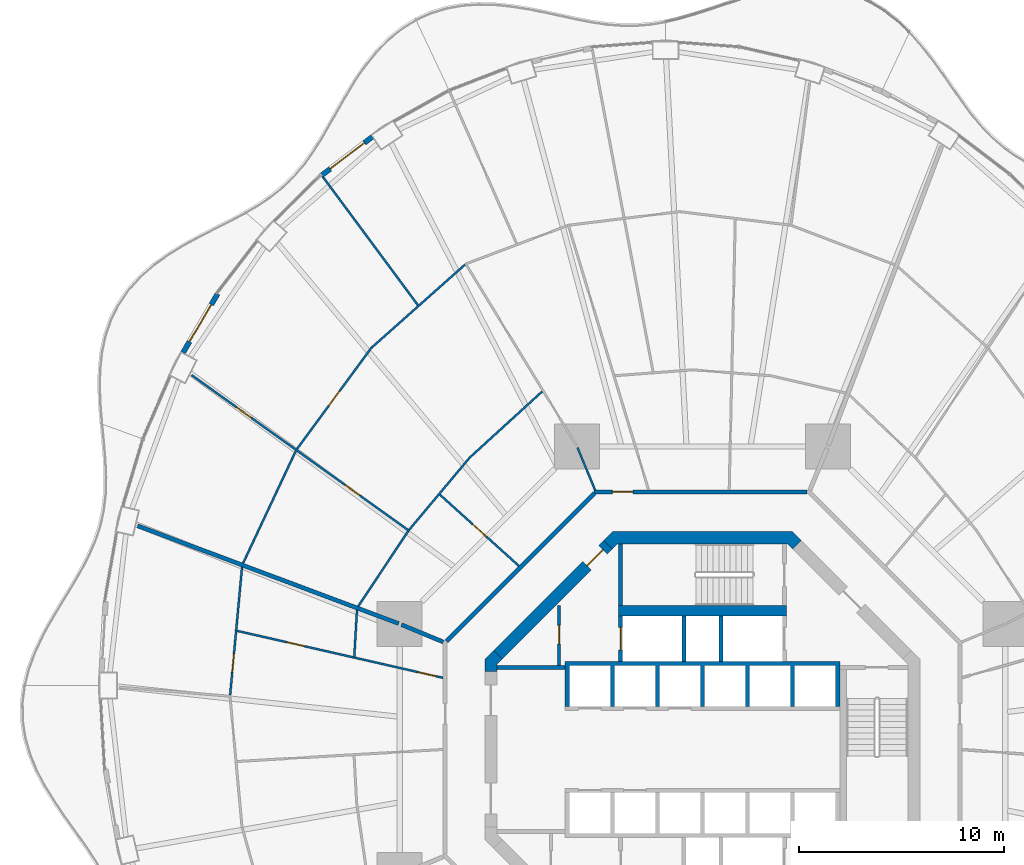
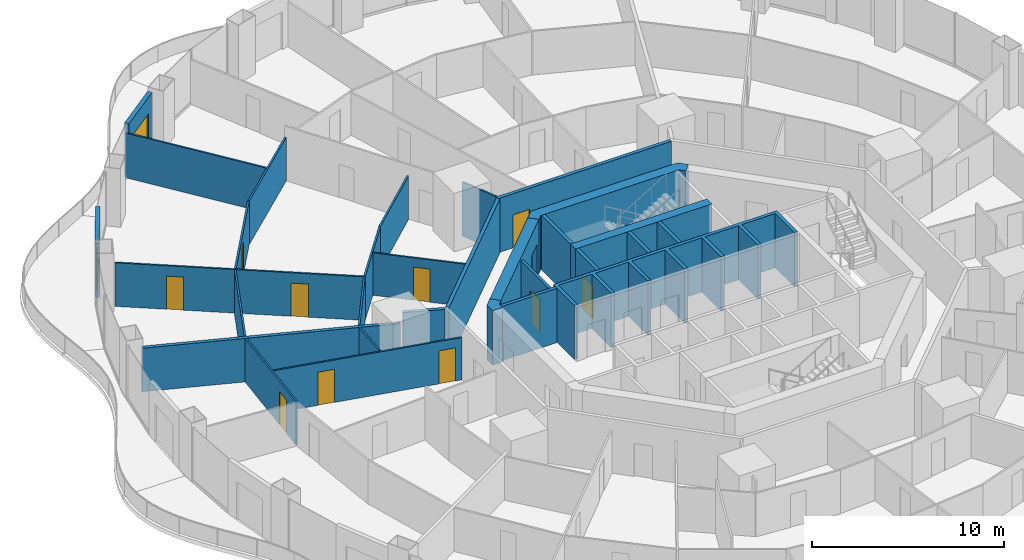
# One storey, part 17 of 22: 30 walls, 13 doors, 13 openings.
"""IFC4 building model written with IfcOpenShell, lengths in metres."""

from ifc_helpers import new_model, si_unit, direction, frame, frame_2d, origin, place, context, subcontext, project, spatial, polyline, rectangle, outline, extrude, material, layer, layer_set, type_object, element, fill, save


model = new_model("IFC4")

# Units and contexts
model_context = context("Model", 3, precision=1e-05, world=origin(), true_north=direction((0.0, 1.0)))
body_context = subcontext(model_context, "Body", "Model", "MODEL_VIEW")
ifc_project = project(units=[si_unit("LENGTHUNIT", "METRE"), si_unit("AREAUNIT", "SQUARE_METRE"), si_unit("VOLUMEUNIT", "CUBIC_METRE"), si_unit("PLANEANGLEUNIT", "RADIAN"), si_unit("MASSUNIT", "GRAM", prefix="KILO")], contexts=[model_context])

# Site, building, storey
site_placement = place(None, origin())
site = spatial("IfcSite", under=ifc_project, at=site_placement, CompositionType="ELEMENT")
building_placement = place(site_placement, origin())
building = spatial("IfcBuilding", under=site, at=building_placement, Name="Nagisa Residences", CompositionType="ELEMENT")
storey_placement = place(building_placement, frame((0.0, 0.0, 91.800048828125)))
storey = spatial("IfcBuildingStorey", under=building, at=storey_placement, Name="L22", CompositionType="ELEMENT", Elevation=91.800048828125)

# Walls
ifc_material_1 = material(Name="Gypsum board on steel studs", Category="steel")
ifc_layer_1 = layer(ifc_material_1, 0.199951171875)
ifc_layer_set_1 = layer_set([ifc_layer_1], Name="Apartment compartment wall EI60 200")
wall_type_1 = type_object("IfcWallType", Name="Apartment compartment wall EI60 200", PredefinedType="PARTITIONING", material=ifc_layer_set_1)
wall_1_placement = place(storey_placement, frame((-12.6572265625, 5.24267578125, 0.0), z_axis=(0.0, 0.0, 1.0), x_axis=(-0.923843626288, 0.382770106157, 0.0)))
element("IfcWall", 1, at=wall_1_placement, inside=storey, type_object=wall_type_1, Name="wall:L22:u02", PredefinedType="PARTITIONING", context=body_context, shape_type="SweptSolid", body=[
    extrude(rectangle(XDim=2.19921875, YDim=0.199951171875, at=frame_2d((1.099609375, 0.0))), origin(), (0.0, 0.0, 1.0), 3.43994140625),
])
wall_2_placement = place(storey_placement, frame((-14.828857421875, 6.140380859375, 0.0), z_axis=(0.0, 0.0, 1.0), x_axis=(-0.936597324342, 0.35040755134, 0.0)))
element("IfcWall", 2, at=wall_2_placement, inside=storey, type_object=wall_type_1, Name="wall:L22:u03", PredefinedType="PARTITIONING", context=body_context, shape_type="SweptSolid", body=[
    extrude(rectangle(XDim=13.605712890625, YDim=0.199951171875, at=frame_2d((6.802734375, 0.0))), origin(), (0.0, 0.0, 1.0), 2.761962890625),
])

# Wall, opening, door
ifc_material_2 = material(Name="Gypsum board on steel studs", Category="steel")
ifc_layer_2 = layer(ifc_material_2, 0.199951171875)
ifc_layer_set_2 = layer_set([ifc_layer_2], Name="Apartment entry wall EI60 200")
wall_type_2 = type_object("IfcWallType", Name="Apartment entry wall EI60 200", PredefinedType="PARTITIONING", material=ifc_layer_set_2)
wall_3_placement = place(storey_placement, frame((5.1044921875, 12.564697265625, 0.0), z_axis=(0.0, 0.0, 1.0), x_axis=(-1.0, 0.0, 0.0)))
wall_3 = element("IfcWall", 3, at=wall_3_placement, inside=storey, type_object=wall_type_2, Name="wall:L22:u12", PredefinedType="PARTITIONING", context=body_context, shape_type="SweptSolid", body=[
    extrude(rectangle(XDim=10.408935546875, YDim=0.199951171875, at=frame_2d((5.20458984375, 0.0))), origin(), (0.0, 0.0, 1.0), 3.43994140625),
])
opening_1_placement = place(wall_3_placement, frame((8.5078125, 0.0, 0.0)))
opening_1 = element("IfcOpeningElement", 4, at=opening_1_placement, cuts=wall_3, Name="Opening L22-U01", PredefinedType="OPENING", context=body_context, shape_type="SweptSolid", body=[
    extrude(rectangle(XDim=1.0, YDim=2.10009765625, at=frame_2d((0.5, 1.050048828125))), frame((0.0, 0.10986328125, 0.0), z_axis=(0.0, -1.0, 0.0), x_axis=(1.0, 0.0, 0.0)), (0.0, 0.0, 1.0), 0.219970703125),
])
ifc_material_3 = material(Name="Timber fire door set", Category="wood")
door_type_1 = type_object("IfcDoorType", Name="Apartment entry door FD30S 1000x2100", OperationType="NOTDEFINED", PredefinedType="DOOR", material=ifc_material_3)
door_1_placement = place(opening_1_placement, frame((1.0, 0.0, 0.0), x_axis=(-1.0, 0.0, 0.0)))
door_1 = element("IfcDoor", 5, at=door_1_placement, inside=storey, type_object=door_type_1, Name="Entry door, Apartment 22A", OperationType="SINGLE_SWING_RIGHT", OverallHeight=2.10009765625, OverallWidth=1.0, PredefinedType="DOOR", context=body_context, shape_type="SweptSolid", body=[
    extrude(rectangle(XDim=1.0, YDim=2.10009765625, at=frame_2d((0.5, 1.050048828125))), frame((0.0, 0.02490234375, 0.0), z_axis=(0.0, -1.0, 0.0), x_axis=(1.0, 0.0, 0.0)), (0.0, 0.0, 1.0), 0.050048828125),
])
fill(opening_1, door_1)

# Walls
wall_4_placement = place(storey_placement, frame((-5.275146484375, 12.494140625, 0.0), z_axis=(0.0, 0.0, 1.0), x_axis=(-0.707106781187, -0.707106781187, 0.0)))
element("IfcWall", 6, at=wall_4_placement, inside=storey, type_object=wall_type_2, Name="wall:L22:u13", PredefinedType="PARTITIONING", context=body_context, shape_type="SweptSolid", body=[
    extrude(rectangle(XDim=10.209228515625, YDim=0.199951171875, at=frame_2d((5.1044921875, 0.0))), origin(), (0.0, 0.0, 1.0), 3.43994140625),
])
ifc_material_4 = material(Name="Gypsum board on steel studs", Category="steel")
ifc_layer_3 = layer(ifc_material_4, 0.10009765625)
ifc_layer_set_3 = layer_set([ifc_layer_3], Name="Apartment partition 100")
wall_type_3 = type_object("IfcWallType", Name="Apartment partition 100", PredefinedType="PARTITIONING", material=ifc_layer_set_3)
wall_5_placement = place(storey_placement, frame((-5.24267578125, 12.6572265625, 0.0), z_axis=(0.0, 0.0, 1.0), x_axis=(-0.382703272338, 0.923871314276, 0.0)))
element("IfcWall", 7, at=wall_5_placement, inside=storey, type_object=wall_type_3, Name="wall:L22:u45", PredefinedType="PARTITIONING", context=body_context, shape_type="SweptSolid", body=[
    extrude(rectangle(XDim=2.249267578125, YDim=0.10009765625, at=frame_2d((1.12451171875, 0.0))), origin(), (0.0, 0.0, 1.0), 3.43994140625),
])
wall_6_placement = place(storey_placement, frame((-7.81982421875, 17.471923828125, 0.0), z_axis=(0.0, 0.0, 1.0), x_axis=(-0.73885182489, -0.67386792538, 0.0)))
element("IfcWall", 8, at=wall_6_placement, inside=storey, type_object=wall_type_3, Name="wall:L22:u47", PredefinedType="PARTITIONING", context=body_context, shape_type="SweptSolid", body=[
    extrude(rectangle(XDim=4.846435546875, YDim=0.10009765625, at=frame_2d((2.42333984375, 0.0))), origin(), (0.0, 0.0, 1.0), 2.761962890625),
])
wall_7_placement = place(storey_placement, frame((-11.5908203125, 23.65966796875, 0.0), z_axis=(0.0, 0.0, 1.0), x_axis=(-0.747429278403, -0.664341383466, 0.0)))
element("IfcWall", 9, at=wall_7_placement, inside=storey, type_object=wall_type_3, Name="wall:L22:u48", PredefinedType="PARTITIONING", context=body_context, shape_type="SweptSolid", body=[
    extrude(rectangle(XDim=6.073486328125, YDim=0.10009765625, at=frame_2d((3.03662109375, 0.0))), origin(), (0.0, 0.0, 1.0), 2.761962890625),
])
wall_8_placement = place(storey_placement, frame((-13.890380859375, 21.682373046875, 0.0), z_axis=(0.0, 0.0, 1.0), x_axis=(-0.595256113594, 0.803536034804, 0.0)))
element("IfcWall", 10, at=wall_8_placement, inside=storey, type_object=wall_type_3, Name="wall:L22:u49", PredefinedType="PARTITIONING", context=body_context, shape_type="SweptSolid", body=[
    extrude(rectangle(XDim=7.971923828125, YDim=0.10009765625, at=frame_2d((3.98583984375, 0.0))), origin(), (0.0, 0.0, 1.0), 2.8369140625),
])
wall_9_placement = place(storey_placement, frame((-11.39599609375, 14.20166015625, 0.0), z_axis=(0.0, 0.0, 1.0), x_axis=(-0.642483859922, -0.766299216847, 0.0)))
element("IfcWall", 11, at=wall_9_placement, inside=storey, type_object=wall_type_3, Name="wall:L22:u50", PredefinedType="PARTITIONING", context=body_context, shape_type="SweptSolid", body=[
    extrude(rectangle(XDim=4.537109375, YDim=0.10009765625, at=frame_2d((2.2685546875, 0.0))), origin(), (0.0, 0.0, 1.0), 2.761962890625),
])

# Wall, opening, door
wall_10_placement = place(storey_placement, frame((-16.137939453125, 19.6318359375, 0.0), z_axis=(0.0, 0.0, 1.0), x_axis=(-0.592401008469, -0.805643249314, 0.0)))
wall_10 = element("IfcWall", 12, at=wall_10_placement, inside=storey, type_object=wall_type_3, Name="wall:L22:u51", PredefinedType="PARTITIONING", context=body_context, shape_type="SweptSolid", body=[
    extrude(rectangle(XDim=6.18017578125, YDim=0.10009765625, at=frame_2d((3.090087890625, 0.0))), origin(), (0.0, 0.0, 1.0), 2.761962890625),
])
opening_2_placement = place(wall_10_placement, frame((2.6650390625, 0.0, 0.0)))
opening_2 = element("IfcOpeningElement", 13, at=opening_2_placement, cuts=wall_10, Name="Opening L22-U12", PredefinedType="OPENING", context=body_context, shape_type="SweptSolid", body=[
    extrude(rectangle(XDim=0.89990234375, YDim=2.10009765625, at=frame_2d((0.449951171875, 1.050048828125))), frame((0.0, 0.06005859375, 0.0), z_axis=(0.0, -1.0, 0.0), x_axis=(1.0, 0.0, 0.0)), (0.0, 0.0, 1.0), 0.1201171875),
])
ifc_material_5 = material(Name="Timber door set", Category="wood")
door_type_2 = type_object("IfcDoorType", Name="Apartment door 900x2100", OperationType="NOTDEFINED", PredefinedType="DOOR", material=ifc_material_5)
door_2_placement = place(opening_2_placement, frame((0.89990234375, 0.0, 0.0), x_axis=(-1.0, 0.0, 0.0)))
door_2 = element("IfcDoor", 14, at=door_2_placement, inside=storey, type_object=door_type_2, Name="Door to living room, Apartment 22A", OperationType="SINGLE_SWING_LEFT", OverallHeight=2.10009765625, OverallWidth=0.89990234375, PredefinedType="DOOR", context=body_context, shape_type="SweptSolid", body=[
    extrude(rectangle(XDim=0.89990234375, YDim=2.10009765625, at=frame_2d((0.449951171875, 1.050048828125))), frame((0.0, 0.02490234375, 0.0), z_axis=(0.0, -1.0, 0.0), x_axis=(1.0, 0.0, 0.0)), (0.0, 0.0, 1.0), 0.050048828125),
])
fill(opening_2, door_2)

wall_11_placement = place(storey_placement, frame((-8.958984375, 8.95166015625, 0.0), z_axis=(0.0, 0.0, 1.0), x_axis=(-0.742686144764, 0.669639672045, 0.0)))
wall_11 = element("IfcWall", 15, at=wall_11_placement, inside=storey, type_object=wall_type_3, Name="wall:L22:u52", PredefinedType="PARTITIONING", context=body_context, shape_type="SweptSolid", body=[
    extrude(rectangle(XDim=5.19384765625, YDim=0.10009765625, at=frame_2d((2.596923828125, 0.0))), origin(), (0.0, 0.0, 1.0), 2.68701171875),
])
opening_3_placement = place(wall_11_placement, frame((2.14697265625, 0.0, 0.0)))
opening_3 = element("IfcOpeningElement", 16, at=opening_3_placement, cuts=wall_11, Name="Opening L22-U04", PredefinedType="OPENING", context=body_context, shape_type="SweptSolid", body=[
    extrude(rectangle(XDim=0.89990234375, YDim=2.10009765625, at=frame_2d((0.449951171875, 1.050048828125))), frame((0.0, 0.06005859375, 0.0), z_axis=(0.0, -1.0, 0.0), x_axis=(1.0, 0.0, 0.0)), (0.0, 0.0, 1.0), 0.1201171875),
])
door_3_placement = place(opening_3_placement, origin())
door_3 = element("IfcDoor", 17, at=door_3_placement, inside=storey, type_object=door_type_2, Name="Door to laundry, Apartment 22A", OperationType="SINGLE_SWING_RIGHT", OverallHeight=2.10009765625, OverallWidth=0.89990234375, PredefinedType="DOOR", context=body_context, shape_type="SweptSolid", body=[
    extrude(rectangle(XDim=0.89990234375, YDim=2.10009765625, at=frame_2d((0.449951171875, 1.050048828125))), frame((0.0, 0.02490234375, 0.0), z_axis=(0.0, -1.0, 0.0), x_axis=(1.0, 0.0, 0.0)), (0.0, 0.0, 1.0), 0.050048828125),
])
fill(opening_3, door_3)

# Wall, openings, doors
wall_12_placement = place(storey_placement, frame((-14.302490234375, 10.657470703125, 0.0), z_axis=(0.0, 0.0, 1.0), x_axis=(-0.813183002698, 0.582008079087, 0.0)))
wall_12 = element("IfcWall", 18, at=wall_12_placement, inside=storey, type_object=wall_type_3, Name="wall:L22:u53", PredefinedType="PARTITIONING", context=body_context, shape_type="SweptSolid", body=[
    extrude(rectangle(XDim=13.074462890625, YDim=0.10009765625, at=frame_2d((6.537109375, 0.0))), origin(), (0.0, 0.0, 1.0), 2.761962890625),
])
opening_4_placement = place(wall_12_placement, frame((2.972900390625, 0.0, 0.0)))
opening_4 = element("IfcOpeningElement", 19, at=opening_4_placement, cuts=wall_12, Name="Opening L22-U08", PredefinedType="OPENING", context=body_context, shape_type="SweptSolid", body=[
    extrude(rectangle(XDim=0.89990234375, YDim=2.10009765625, at=frame_2d((0.449951171875, 1.050048828125))), frame((0.0, 0.06005859375, 0.0), z_axis=(0.0, -1.0, 0.0), x_axis=(1.0, 0.0, 0.0)), (0.0, 0.0, 1.0), 0.1201171875),
])
opening_5_placement = place(wall_12_placement, frame((9.485107421875, 0.0, 0.0)))
opening_5 = element("IfcOpeningElement", 20, at=opening_5_placement, cuts=wall_12, Name="Opening L22-U13", PredefinedType="OPENING", context=body_context, shape_type="SweptSolid", body=[
    extrude(rectangle(XDim=0.89990234375, YDim=2.10009765625, at=frame_2d((0.449951171875, 1.050048828125))), frame((0.0, 0.06005859375, 0.0), z_axis=(0.0, -1.0, 0.0), x_axis=(1.0, 0.0, 0.0)), (0.0, 0.0, 1.0), 0.1201171875),
])
door_4_placement = place(opening_4_placement, origin())
door_4 = element("IfcDoor", 21, at=door_4_placement, inside=storey, type_object=door_type_2, Name="Door to study, Apartment 22A", OperationType="SINGLE_SWING_RIGHT", OverallHeight=2.10009765625, OverallWidth=0.89990234375, PredefinedType="DOOR", context=body_context, shape_type="SweptSolid", body=[
    extrude(rectangle(XDim=0.89990234375, YDim=2.10009765625, at=frame_2d((0.449951171875, 1.050048828125))), frame((0.0, 0.02490234375, 0.0), z_axis=(0.0, -1.0, 0.0), x_axis=(1.0, 0.0, 0.0)), (0.0, 0.0, 1.0), 0.050048828125),
])
fill(opening_4, door_4)
door_5_placement = place(opening_5_placement, origin())
door_5 = element("IfcDoor", 22, at=door_5_placement, inside=storey, type_object=door_type_2, Name="Door to master bedroom, Apartment 22A", OperationType="SINGLE_SWING_LEFT", OverallHeight=2.10009765625, OverallWidth=0.89990234375, PredefinedType="DOOR", context=body_context, shape_type="SweptSolid", body=[
    extrude(rectangle(XDim=0.89990234375, YDim=2.10009765625, at=frame_2d((0.449951171875, 1.050048828125))), frame((0.0, 0.02490234375, 0.0), z_axis=(0.0, -1.0, 0.0), x_axis=(1.0, 0.0, 0.0)), (0.0, 0.0, 1.0), 0.050048828125),
])
fill(opening_5, door_5)

# Walls
wall_13_placement = place(storey_placement, frame((-14.370849609375, 10.64501953125, 0.0), z_axis=(0.0, 0.0, 1.0), x_axis=(-0.553341009285, -0.832954817168, 0.0)))
element("IfcWall", 23, at=wall_13_placement, inside=storey, type_object=wall_type_3, Name="wall:L22:u54", PredefinedType="PARTITIONING", context=body_context, shape_type="SweptSolid", body=[
    extrude(rectangle(XDim=4.396240234375, YDim=0.10009765625, at=frame_2d((2.1982421875, 0.0))), origin(), (0.0, 0.0, 1.0), 2.761962890625),
])
wall_14_placement = place(storey_placement, frame((-19.85009765625, 14.5673828125, 0.0), z_axis=(0.0, 0.0, 1.0), x_axis=(-0.424942210745, -0.905220480064, 0.0)))
element("IfcWall", 24, at=wall_14_placement, inside=storey, type_object=wall_type_3, Name="wall:L22:u55", PredefinedType="PARTITIONING", context=body_context, shape_type="SweptSolid", body=[
    extrude(rectangle(XDim=6.05322265625, YDim=0.10009765625, at=frame_2d((3.026611328125, 0.0))), origin(), (0.0, 0.0, 1.0), 2.761962890625),
])
wall_15_placement = place(storey_placement, frame((-16.864501953125, 6.800048828125, 0.0), z_axis=(0.0, 0.0, 1.0), x_axis=(-0.057751176984, -0.998331008011, 0.0)))
element("IfcWall", 25, at=wall_15_placement, inside=storey, type_object=wall_type_3, Name="wall:L22:u56", PredefinedType="PARTITIONING", context=body_context, shape_type="SweptSolid", body=[
    extrude(rectangle(XDim=2.2998046875, YDim=0.10009765625, at=frame_2d((1.14990234375, 0.0))), origin(), (0.0, 0.0, 1.0), 2.761962890625),
])

# Wall, opening, door
wall_16_placement = place(storey_placement, frame((-22.47412109375, 8.897705078125, 0.0), z_axis=(0.0, 0.0, 1.0), x_axis=(-0.092756864489, -0.995688788774, 0.0)))
wall_16 = element("IfcWall", 26, at=wall_16_placement, inside=storey, type_object=wall_type_3, Name="wall:L22:u57", PredefinedType="PARTITIONING", context=body_context, shape_type="SweptSolid", body=[
    extrude(rectangle(XDim=6.28271484375, YDim=0.10009765625, at=frame_2d((3.141357421875, 0.0))), origin(), (0.0, 0.0, 1.0), 2.761962890625),
])
opening_6_placement = place(wall_16_placement, frame((4.24951171875, 0.0, 0.0)))
opening_6 = element("IfcOpeningElement", 27, at=opening_6_placement, cuts=wall_16, Name="Opening L22-U22", PredefinedType="OPENING", context=body_context, shape_type="SweptSolid", body=[
    extrude(rectangle(XDim=0.89990234375, YDim=2.10009765625, at=frame_2d((0.449951171875, 1.050048828125))), frame((0.0, 0.06005859375, 0.0), z_axis=(0.0, -1.0, 0.0), x_axis=(1.0, 0.0, 0.0)), (0.0, 0.0, 1.0), 0.1201171875),
])
door_6_placement = place(opening_6_placement, frame((0.89990234375, 0.0, 0.0), x_axis=(-1.0, 0.0, 0.0)))
door_6 = element("IfcDoor", 28, at=door_6_placement, inside=storey, type_object=door_type_2, Name="Door to master bedroom, Apartment 22B", OperationType="SINGLE_SWING_LEFT", OverallHeight=2.10009765625, OverallWidth=0.89990234375, PredefinedType="DOOR", context=body_context, shape_type="SweptSolid", body=[
    extrude(rectangle(XDim=0.89990234375, YDim=2.10009765625, at=frame_2d((0.449951171875, 1.050048828125))), frame((0.0, 0.02490234375, 0.0), z_axis=(0.0, -1.0, 0.0), x_axis=(1.0, 0.0, 0.0)), (0.0, 0.0, 1.0), 0.050048828125),
])
fill(opening_6, door_6)

# Wall, openings, doors
wall_17_placement = place(storey_placement, frame((-12.662353515625, 3.491943359375, 0.0), z_axis=(0.0, 0.0, 1.0), x_axis=(-0.974981662956, 0.22228530518, 0.0)))
wall_17 = element("IfcWall", 29, at=wall_17_placement, inside=storey, type_object=wall_type_3, Name="wall:L22:u58", PredefinedType="PARTITIONING", context=body_context, shape_type="SweptSolid", body=[
    extrude(rectangle(XDim=10.31005859375, YDim=0.10009765625, at=frame_2d((5.155029296875, 0.0))), origin(), (0.0, 0.0, 1.0), 2.68701171875),
])
opening_7_placement = place(wall_17_placement, frame((0.35009765625, 0.0, 0.0)))
opening_7 = element("IfcOpeningElement", 30, at=opening_7_placement, cuts=wall_17, Name="Opening L22-U18", PredefinedType="OPENING", context=body_context, shape_type="SweptSolid", body=[
    extrude(rectangle(XDim=0.89990234375, YDim=2.10009765625, at=frame_2d((0.449951171875, 1.050048828125))), frame((0.0, 0.06005859375, 0.0), z_axis=(0.0, -1.0, 0.0), x_axis=(1.0, 0.0, 0.0)), (0.0, 0.0, 1.0), 0.1201171875),
])
opening_8_placement = place(wall_17_placement, frame((6.930908203125, 0.0, 0.0)))
opening_8 = element("IfcOpeningElement", 31, at=opening_8_placement, cuts=wall_17, Name="Opening L22-U20", PredefinedType="OPENING", context=body_context, shape_type="SweptSolid", body=[
    extrude(rectangle(XDim=0.89990234375, YDim=2.10009765625, at=frame_2d((0.449951171875, 1.050048828125))), frame((0.0, 0.06005859375, 0.0), z_axis=(0.0, -1.0, 0.0), x_axis=(1.0, 0.0, 0.0)), (0.0, 0.0, 1.0), 0.1201171875),
])
door_7_placement = place(opening_7_placement, frame((0.89990234375, 0.0, 0.0), x_axis=(-1.0, 0.0, 0.0)))
door_7 = element("IfcDoor", 32, at=door_7_placement, inside=storey, type_object=door_type_2, Name="Door to family bathroom, Apartment 22B", OperationType="SINGLE_SWING_LEFT", OverallHeight=2.10009765625, OverallWidth=0.89990234375, PredefinedType="DOOR", context=body_context, shape_type="SweptSolid", body=[
    extrude(rectangle(XDim=0.89990234375, YDim=2.10009765625, at=frame_2d((0.449951171875, 1.050048828125))), frame((0.0, 0.02490234375, 0.0), z_axis=(0.0, -1.0, 0.0), x_axis=(1.0, 0.0, 0.0)), (0.0, 0.0, 1.0), 0.050048828125),
])
fill(opening_7, door_7)
door_8_placement = place(opening_8_placement, frame((0.89990234375, 0.0, 0.0), x_axis=(-1.0, 0.0, 0.0)))
door_8 = element("IfcDoor", 33, at=door_8_placement, inside=storey, type_object=door_type_2, Name="Door to family bathroom, Apartment 22B", OperationType="SINGLE_SWING_LEFT", OverallHeight=2.10009765625, OverallWidth=0.89990234375, PredefinedType="DOOR", context=body_context, shape_type="SweptSolid", body=[
    extrude(rectangle(XDim=0.89990234375, YDim=2.10009765625, at=frame_2d((0.449951171875, 1.050048828125))), frame((0.0, 0.02490234375, 0.0), z_axis=(0.0, -1.0, 0.0), x_axis=(1.0, 0.0, 0.0)), (0.0, 0.0, 1.0), 0.050048828125),
])
fill(opening_8, door_8)

# Wall, opening, door
ifc_material_6 = material(Name="Precast concrete C40/50", Category="concrete")
ifc_layer_4 = layer(ifc_material_6, 0.25)
ifc_layer_set_4 = layer_set([ifc_layer_4], Name="BALCONY DOOR WALL 250")
wall_type_4 = type_object("IfcWallType", Name="BALCONY DOOR WALL 250", PredefinedType="SOLIDWALL", material=ifc_layer_set_4)
wall_18_placement = place(storey_placement, frame((-18.583984375, 28.020751953125, 0.0), z_axis=(0.0, 0.0, 1.0), x_axis=(0.796037575978, 0.605247203736, 0.0)))
wall_18 = element("IfcWall", 34, at=wall_18_placement, inside=storey, type_object=wall_type_4, Name="wall:L22:bay16", PredefinedType="SOLIDWALL", context=body_context, shape_type="SweptSolid", body=[
    extrude(rectangle(XDim=3.1337890625, YDim=0.25, at=frame_2d((1.56689453125, 0.0))), origin(), (0.0, 0.0, 1.0), 3.43994140625),
])
opening_9_placement = place(wall_18_placement, frame((0.51708984375, 0.0, 0.0)))
opening_9 = element("IfcOpeningElement", 35, at=opening_9_placement, cuts=wall_18, Name="Opening BD-L22-06", PredefinedType="OPENING", context=body_context, shape_type="SweptSolid", body=[
    extrude(rectangle(XDim=2.10009765625, YDim=2.39990234375, at=frame_2d((1.050048828125, 1.199951171875))), frame((0.0, 0.135009765625, 0.0), z_axis=(0.0, -1.0, 0.0), x_axis=(1.0, 0.0, 0.0)), (0.0, 0.0, 1.0), 0.27001953125),
])
ifc_material_7 = material(Name="Aluminium and clear glass", Category="aluminium")
door_type_3 = type_object("IfcDoorType", Name="BALCONY SLIDING DOOR 2100x2400", OperationType="SLIDING_TO_LEFT", PredefinedType="DOOR", material=ifc_material_7)
door_9_placement = place(opening_9_placement, origin())
door_9 = element("IfcDoor", 36, at=door_9_placement, inside=storey, type_object=door_type_3, Name="door:L22:bay16", OperationType="SLIDING_TO_LEFT", OverallHeight=2.39990234375, OverallWidth=2.10009765625, PredefinedType="DOOR", context=body_context, shape_type="SweptSolid", body=[
    extrude(rectangle(XDim=2.10009765625, YDim=2.39990234375, at=frame_2d((1.050048828125, 1.199951171875))), frame((0.0, 0.02490234375, 0.0), z_axis=(0.0, -1.0, 0.0), x_axis=(1.0, 0.0, 0.0)), (0.0, 0.0, 1.0), 0.050048828125),
])
fill(opening_9, door_9)

wall_19_placement = place(storey_placement, frame((-25.34765625, 19.372314453125, 0.0), z_axis=(0.0, 0.0, 1.0), x_axis=(0.506352525095, 0.86232657406, 0.0)))
wall_19 = element("IfcWall", 37, at=wall_19_placement, inside=storey, type_object=wall_type_4, Name="wall:L22:bay19", PredefinedType="SOLIDWALL", context=body_context, shape_type="SweptSolid", body=[
    extrude(rectangle(XDim=3.324951171875, YDim=0.25, at=frame_2d((1.66259765625, 0.0))), origin(), (0.0, 0.0, 1.0), 3.43994140625),
])
opening_10_placement = place(wall_19_placement, frame((0.6123046875, 0.0, 0.0)))
opening_10 = element("IfcOpeningElement", 38, at=opening_10_placement, cuts=wall_19, Name="Opening BD-L22-07", PredefinedType="OPENING", context=body_context, shape_type="SweptSolid", body=[
    extrude(rectangle(XDim=2.10009765625, YDim=2.39990234375, at=frame_2d((1.050048828125, 1.199951171875))), frame((0.0, 0.135009765625, 0.0), z_axis=(0.0, -1.0, 0.0), x_axis=(1.0, 0.0, 0.0)), (0.0, 0.0, 1.0), 0.27001953125),
])
door_10_placement = place(opening_10_placement, origin())
door_10 = element("IfcDoor", 39, at=door_10_placement, inside=storey, type_object=door_type_3, Name="door:L22:bay19", OperationType="SLIDING_TO_LEFT", OverallHeight=2.39990234375, OverallWidth=2.10009765625, PredefinedType="DOOR", context=body_context, shape_type="SweptSolid", body=[
    extrude(rectangle(XDim=2.10009765625, YDim=2.39990234375, at=frame_2d((1.050048828125, 1.199951171875))), frame((0.0, 0.02490234375, 0.0), z_axis=(0.0, -1.0, 0.0), x_axis=(1.0, 0.0, 0.0)), (0.0, 0.0, 1.0), 0.050048828125),
])
fill(opening_10, door_10)

ifc_material_8 = material(Name="Gypsum board on steel studs", Category="steel")
ifc_layer_5 = layer(ifc_material_8, 0.14990234375)
ifc_layer_set_5 = layer_set([ifc_layer_5], Name="Core partition 150")
wall_type_5 = type_object("IfcWallType", Name="Core partition 150", PredefinedType="PARTITIONING", material=ifc_layer_set_5)
wall_20_placement = place(storey_placement, frame((-7.0, 4.10009765625, 0.0), z_axis=(0.0, 0.0, 1.0), x_axis=(0.0, 1.0, 0.0)))
wall_20 = element("IfcWall", 40, at=wall_20_placement, inside=storey, type_object=wall_type_5, Name="wall:L22:NWp", PredefinedType="PARTITIONING", context=body_context, shape_type="SweptSolid", body=[
    extrude(rectangle(XDim=2.9267578125, YDim=0.14990234375, at=frame_2d((1.46337890625, 0.0))), origin(), (0.0, 0.0, 1.0), 3.43994140625),
])
opening_11_placement = place(wall_20_placement, frame((1.051025390625, 0.0, 0.0)))
opening_11 = element("IfcOpeningElement", 41, at=opening_11_placement, cuts=wall_20, Name="Opening L22-C12", PredefinedType="OPENING", context=body_context, shape_type="SweptSolid", body=[
    extrude(rectangle(XDim=0.89990234375, YDim=2.10009765625, at=frame_2d((0.449951171875, 1.050048828125))), frame((0.0, 0.0849609375, 0.0), z_axis=(0.0, -1.0, 0.0), x_axis=(1.0, 0.0, 0.0)), (0.0, 0.0, 1.0), 0.169921875),
])
ifc_material_9 = material(Name="Steel fire door", Category="steel")
door_type_4 = type_object("IfcDoorType", Name="Fire door EI30 900x2100 single swing", OperationType="NOTDEFINED", PredefinedType="DOOR", material=ifc_material_9)
door_11_placement = place(opening_11_placement, origin())
door_11 = element("IfcDoor", 42, at=door_11_placement, inside=storey, type_object=door_type_4, Name="Hose reel room door L22", OperationType="SINGLE_SWING_RIGHT", OverallHeight=2.10009765625, OverallWidth=0.89990234375, PredefinedType="DOOR", context=body_context, shape_type="SweptSolid", body=[
    extrude(rectangle(XDim=0.89990234375, YDim=2.10009765625, at=frame_2d((0.449951171875, 1.050048828125))), frame((0.0, 0.02490234375, 0.0), z_axis=(0.0, -1.0, 0.0), x_axis=(1.0, 0.0, 0.0)), (0.0, 0.0, 1.0), 0.050048828125),
])
fill(opening_11, door_11)

# Wall
ifc_material_10 = material(Name="Gypsum board on steel studs", Category="steel")
ifc_layer_6 = layer(ifc_material_10, 0.199951171875)
ifc_layer_set_6 = layer_set([ifc_layer_6], Name="Core partition 200")
wall_type_6 = type_object("IfcWallType", Name="Core partition 200", PredefinedType="PARTITIONING", material=ifc_layer_set_6)
wall_21_placement = place(storey_placement, frame((-10.024658203125, 4.0, 0.0), z_axis=(0.0, 0.0, 1.0), x_axis=(1.0, 0.0, 0.0)))
element("IfcWall", 43, at=wall_21_placement, inside=storey, type_object=wall_type_6, Name="wall:L22:PNW", PredefinedType="PARTITIONING", context=body_context, shape_type="SweptSolid", body=[
    extrude(rectangle(XDim=3.32470703125, YDim=0.199951171875, at=frame_2d((1.662353515625, 0.0))), origin(), (0.0, 0.0, 1.0), 3.43994140625),
])

# Wall, opening, door
ifc_material_11 = material(Name="Concrete C60", Category="concrete")
ifc_layer_7 = layer(ifc_material_11, 0.60009765625)
ifc_layer_set_7 = layer_set([ifc_layer_7], Name="Core shear wall 600")
wall_type_7 = type_object("IfcWallType", Name="Core shear wall 600", PredefinedType="SHEAR", material=ifc_layer_set_7)
wall_22_placement = place(storey_placement, frame((-4.613037109375, 9.98828125, 0.0), z_axis=(0.0, 0.0, 1.0), x_axis=(-0.707106781187, -0.707106781187, 0.0)))
wall_22 = element("IfcWall", 44, at=wall_22_placement, inside=storey, type_object=wall_type_7, Name="wall:L22:core:flat3", PredefinedType="SHEAR", context=body_context, shape_type="SweptSolid", body=[
    extrude(rectangle(XDim=7.601806640625, YDim=0.60009765625, at=frame_2d((3.80078125, 0.0))), origin(), (0.0, 0.0, 1.0), 3.43994140625),
])
opening_12_placement = place(wall_22_placement, frame((0.350830078125, 0.0, 0.0)))
opening_12 = element("IfcOpeningElement", 45, at=opening_12_placement, cuts=wall_22, Name="Opening L22-C19", PredefinedType="OPENING", context=body_context, shape_type="SweptSolid", body=[
    extrude(rectangle(XDim=1.10009765625, YDim=2.10009765625, at=frame_2d((0.550048828125, 1.050048828125))), frame((0.0, 0.31005859375, 0.0), z_axis=(0.0, -1.0, 0.0), x_axis=(1.0, 0.0, 0.0)), (0.0, 0.0, 1.0), 0.6201171875),
])
ifc_material_12 = material(Name="Steel fire door", Category="steel")
door_type_5 = type_object("IfcDoorType", Name="Fire door EI60 1100x2100 single swing", OperationType="NOTDEFINED", PredefinedType="DOOR", material=ifc_material_12)
door_12_placement = place(opening_12_placement, origin())
door_12 = element("IfcDoor", 46, at=door_12_placement, inside=storey, type_object=door_type_5, Name="Service lobby door L22", OperationType="SINGLE_SWING_RIGHT", OverallHeight=2.10009765625, OverallWidth=1.10009765625, PredefinedType="DOOR", context=body_context, shape_type="SweptSolid", body=[
    extrude(rectangle(XDim=1.10009765625, YDim=2.10009765625, at=frame_2d((0.550048828125, 1.050048828125))), frame((0.0, 0.02490234375, 0.0), z_axis=(0.0, -1.0, 0.0), x_axis=(1.0, 0.0, 0.0)), (0.0, 0.0, 1.0), 0.050048828125),
])
fill(opening_12, door_12)

# Walls
wall_23_placement = place(storey_placement, origin())
element("IfcWall", 47, at=wall_23_placement, inside=storey, type_object=wall_type_7, Name="wall:L22:core:pier3", PredefinedType="SHEAR", context=body_context, shape_type="SweptSolid", body=[
    extrude(outline(polyline([(-10.200439453125, 4.8251953125), (-9.776123046875, 4.40087890625), (-10.024658203125, 4.15234375), (-10.024658203125, 3.80078125), (-10.62451171875, 3.80078125), (-10.62451171875, 4.40087890625), (-10.200439453125, 4.8251953125)])), origin(), (0.0, 0.0, 1.0), 3.43994140625),
])
wall_24_placement = place(storey_placement, origin())
element("IfcWall", 48, at=wall_24_placement, inside=storey, type_object=wall_type_7, Name="wall:L22:core:flat2", PredefinedType="SHEAR", context=body_context, shape_type="SweptSolid", body=[
    extrude(outline(polyline([(-4.15234375, 10.024658203125), (-4.40087890625, 9.776123046875), (-4.8251953125, 10.200439453125), (-4.40087890625, 10.62451171875), (4.40087890625, 10.62451171875), (4.8251953125, 10.200439453125), (4.40087890625, 9.776123046875), (4.15234375, 10.024658203125), (-4.15234375, 10.024658203125)])), origin(), (0.0, 0.0, 1.0), 3.43994140625),
])

# Wall, opening, door
ifc_material_13 = material(Name="Concrete C60", Category="concrete")
ifc_layer_8 = layer(ifc_material_13, 0.199951171875)
ifc_layer_set_8 = layer_set([ifc_layer_8], Name="Lift shaft wall 200")
wall_type_8 = type_object("IfcWallType", Name="Lift shaft wall 200", PredefinedType="SOLIDWALL", material=ifc_layer_set_8)
wall_25_placement = place(storey_placement, frame((-4.0, 4.300048828125, 0.0), z_axis=(0.0, 0.0, 1.0), x_axis=(0.0, 1.0, 0.0)))
wall_25 = element("IfcWall", 49, at=wall_25_placement, inside=storey, type_object=wall_type_8, Name="wall:L22:Nb4", PredefinedType="SOLIDWALL", context=body_context, shape_type="SweptSolid", body=[
    extrude(rectangle(XDim=2.199951171875, YDim=0.199951171875, at=frame_2d((1.10009765625, 0.0))), origin(), (0.0, 0.0, 1.0), 3.43994140625),
])
opening_13_placement = place(wall_25_placement, frame((0.550048828125, 0.0, 0.0)))
opening_13 = element("IfcOpeningElement", 50, at=opening_13_placement, cuts=wall_25, Name="Opening L22-C08", PredefinedType="OPENING", context=body_context, shape_type="SweptSolid", body=[
    extrude(rectangle(XDim=1.10009765625, YDim=2.10009765625, at=frame_2d((0.550048828125, 1.050048828125))), frame((0.0, 0.10986328125, 0.0), z_axis=(0.0, -1.0, 0.0), x_axis=(1.0, 0.0, 0.0)), (0.0, 0.0, 1.0), 0.219970703125),
])
ifc_material_14 = material(Name="Stainless steel", Category="steel")
door_type_6 = type_object("IfcDoorType", Name="Lift landing door 1100x2100", OperationType="DOUBLE_DOOR_SLIDING", PredefinedType="DOOR", material=ifc_material_14)
door_13_placement = place(opening_13_placement, origin())
door_13 = element("IfcDoor", 51, at=door_13_placement, inside=storey, type_object=door_type_6, Name="Landing door SV L22", OperationType="DOUBLE_DOOR_SLIDING", OverallHeight=2.10009765625, OverallWidth=1.10009765625, PredefinedType="DOOR", context=body_context, shape_type="SweptSolid", body=[
    extrude(rectangle(XDim=1.10009765625, YDim=2.10009765625, at=frame_2d((0.550048828125, 1.050048828125))), frame((0.0, 0.02490234375, 0.0), z_axis=(0.0, -1.0, 0.0), x_axis=(1.0, 0.0, 0.0)), (0.0, 0.0, 1.0), 0.050048828125),
])
fill(opening_13, door_13)

# Walls
for number, where, z_axis, x_axis, name in (
    (52, (-0.89990234375, 4.300048828125, 0.0), (0.0, 0.0, 1.0), (0.0, 1.0, 0.0), "wall:L22:Nb1"),
    (53, (0.89990234375, 4.300048828125, 0.0), (0.0, 0.0, 1.0), (0.0, 1.0, 0.0), "wall:L22:Nb2"),
):
    element("IfcWall", number, at=place(storey_placement, frame(where, z_axis=z_axis, x_axis=x_axis)), inside=storey, type_object=wall_type_8, Name=name, PredefinedType="SOLIDWALL", context=body_context, shape_type="SweptSolid", body=[
        extrude(rectangle(XDim=2.199951171875, YDim=0.199951171875, at=frame_2d((1.10009765625, 0.0))), origin(), (0.0, 0.0, 1.0), 3.43994140625),
    ])
wall_26_placement = place(storey_placement, origin())
element("IfcWall", 54, at=wall_26_placement, inside=storey, type_object=wall_type_8, Name="wall:L22:Nback", PredefinedType="SOLIDWALL", context=body_context, shape_type="SweptSolid", body=[
    extrude(outline(polyline([(-6.5, 2.10009765625), (-6.699951171875, 2.10009765625), (-6.699951171875, 4.300048828125), (6.699951171875, 4.300048828125), (6.699951171875, 2.10009765625), (6.5, 2.10009765625), (6.5, 4.10009765625), (4.5, 4.10009765625), (4.5, 2.10009765625), (4.300048828125, 2.10009765625), (4.300048828125, 4.10009765625), (2.300048828125, 4.10009765625), (2.300048828125, 2.10009765625), (2.10009765625, 2.10009765625), (2.10009765625, 4.10009765625), (0.10009765625, 4.10009765625), (0.10009765625, 2.10009765625), (-0.10009765625, 2.10009765625), (-0.10009765625, 4.10009765625), (-2.10009765625, 4.10009765625), (-2.10009765625, 2.10009765625), (-2.300048828125, 2.10009765625), (-2.300048828125, 4.10009765625), (-4.300048828125, 4.10009765625), (-4.300048828125, 2.10009765625), (-4.5, 2.10009765625), (-4.5, 4.10009765625), (-6.5, 4.10009765625), (-6.5, 2.10009765625)])), origin(), (0.0, 0.0, 1.0), 3.43994140625),
])
ifc_material_15 = material(Name="Concrete C60", Category="concrete")
ifc_layer_9 = layer(ifc_material_15, 0.199951171875)
ifc_layer_set_9 = layer_set([ifc_layer_9], Name="Stair enclosure wall 200")
wall_type_9 = type_object("IfcWallType", Name="Stair enclosure wall 200", PredefinedType="SOLIDWALL", material=ifc_layer_set_9)
wall_27_placement = place(storey_placement, origin())
element("IfcWall", 55, at=wall_27_placement, inside=storey, type_object=wall_type_9, Name="wall:L22:SN_w", PredefinedType="SOLIDWALL", context=body_context, shape_type="SweptSolid", body=[
    extrude(outline(polyline([(-3.89990234375, 7.024658203125), (-4.10009765625, 7.024658203125), (-4.10009765625, 10.024658203125), (-3.89990234375, 10.024658203125), (-3.89990234375, 7.024658203125)])), origin(), (0.0, 0.0, 1.0), 3.43994140625),
])
wall_28_placement = place(storey_placement, origin())
element("IfcWall", 56, at=wall_28_placement, inside=storey, type_object=wall_type_9, Name="wall:L22:SN_s", PredefinedType="SOLIDWALL", context=body_context, shape_type="SweptSolid", body=[
    extrude(outline(polyline([(4.10009765625, 6.5), (-4.10009765625, 6.5), (-4.10009765625, 7.024658203125), (4.10009765625, 7.024658203125), (4.10009765625, 6.5)])), origin(), (0.0, 0.0, 1.0), 3.43994140625),
])

save(model, "model.ifc")
